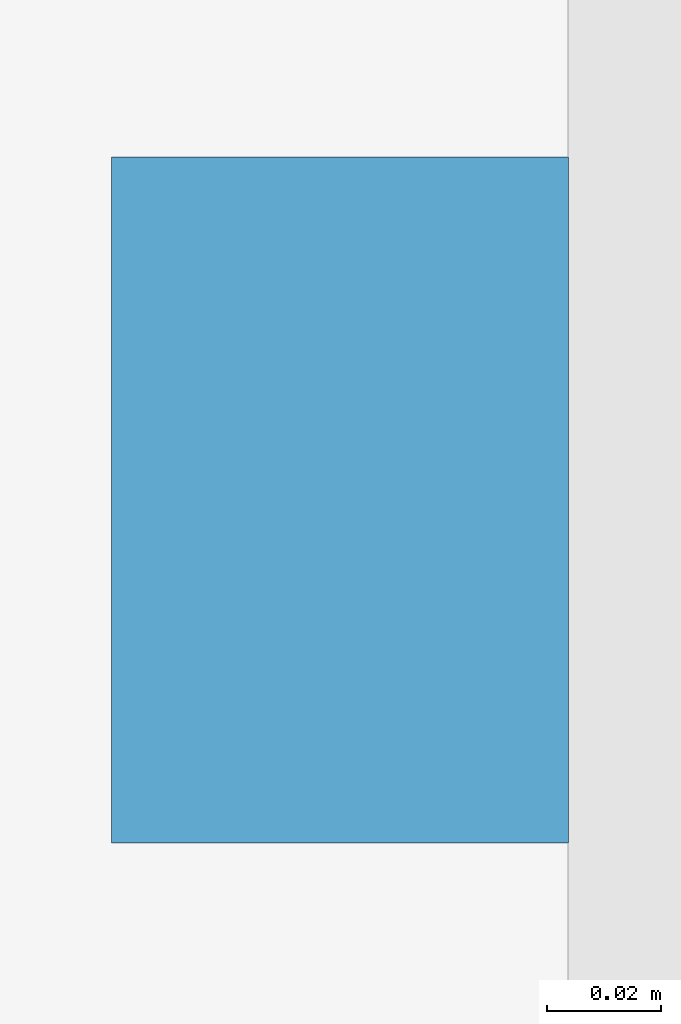
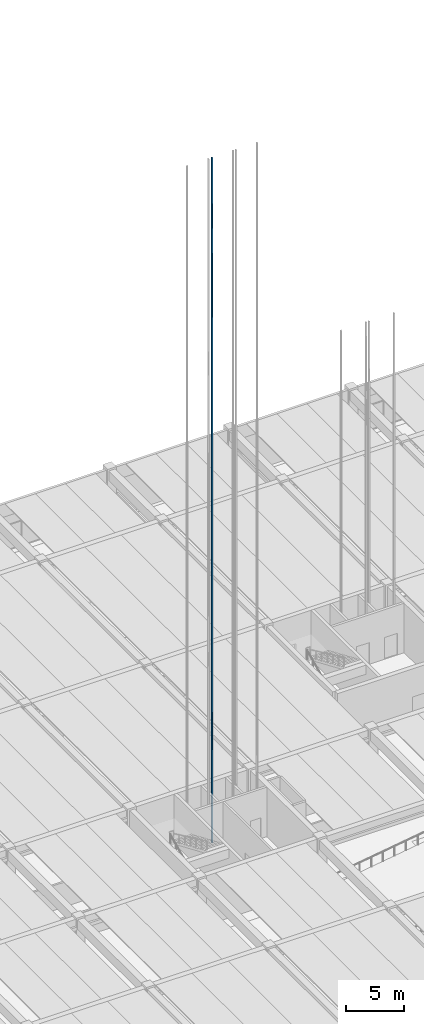
# One storey, part 39 of 59: 1 discrete accessory.
"""IFC4 building model written with IfcOpenShell, lengths in metres."""

from ifc_helpers import new_model, si_unit, direction, frame, origin, origin_2d, place, context, subcontext, project, spatial, rectangle, extrude, material, type_object, element, save


model = new_model("IFC4")

# Units and contexts
model_context = context("Model", 3, precision=1e-05, world=origin(), true_north=direction((0.0, 1.0)))
body_context = subcontext(model_context, "Body", "Model", "MODEL_VIEW")
ifc_project = project(units=[si_unit("LENGTHUNIT", "METRE"), si_unit("AREAUNIT", "SQUARE_METRE"), si_unit("VOLUMEUNIT", "CUBIC_METRE"), si_unit("PLANEANGLEUNIT", "RADIAN"), si_unit("MASSUNIT", "GRAM", prefix="KILO")], contexts=[model_context])

# Site, building, storey
site_placement = place(None, origin())
site = spatial("IfcSite", under=ifc_project, at=site_placement, CompositionType="ELEMENT")
building_placement = place(site_placement, origin())
building = spatial("IfcBuilding", under=site, at=building_placement, Name="Girod Span Mobility Hub", CompositionType="ELEMENT")
storey_placement = place(building_placement, origin())
storey = spatial("IfcBuildingStorey", under=building, at=storey_placement, Name="L00", CompositionType="ELEMENT", Elevation=0.0)

# Discrete accessory
ifc_material = material(Name="Steel A992 Grade 50", Category="steel")
discrete_accessory_type = type_object("IfcDiscreteAccessoryType", Name="ACC-LFT-RAIL", PredefinedType="USERDEFINED", material=ifc_material)
discrete_accessory_placement = place(storey_placement, frame((55.219970703125, 67.300048828125, 0.0), z_axis=(0.0, 0.0, 1.0), x_axis=(1.0, 0.0, 0.0)))
element("IfcDiscreteAccessory", 1, at=discrete_accessory_placement, inside=storey, type_object=discrete_accessory_type, Name="Hoistway Guide Rail LP-1-W", ObjectType="GUIDE RAIL", PredefinedType="USERDEFINED", context=body_context, shape_type="SweptSolid", body=[
    extrude(rectangle(XDim=0.080078125, YDim=0.1201171875, at=origin_2d()), origin(), (0.0, 0.0, 1.0), 71.949951171875),
])

save(model, "model.ifc")
